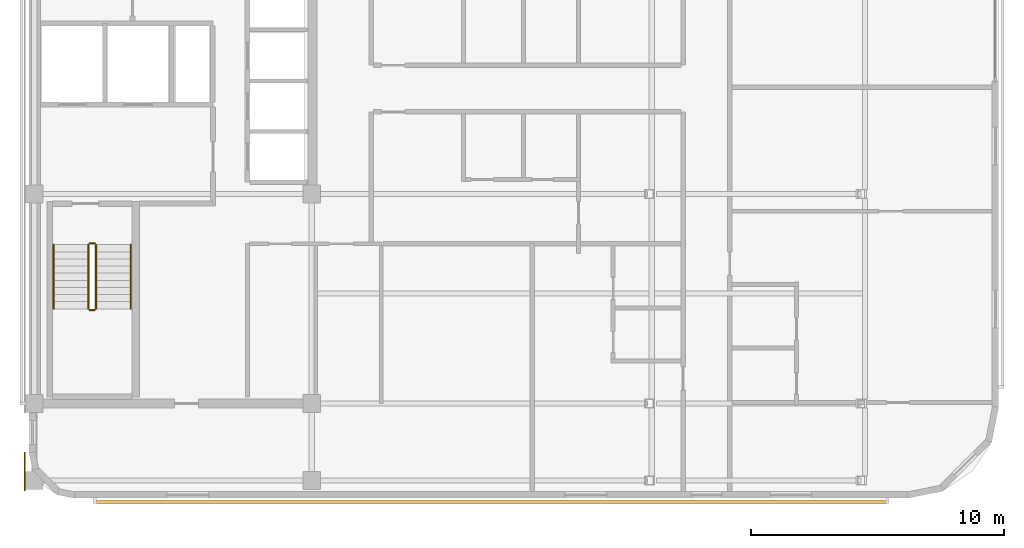
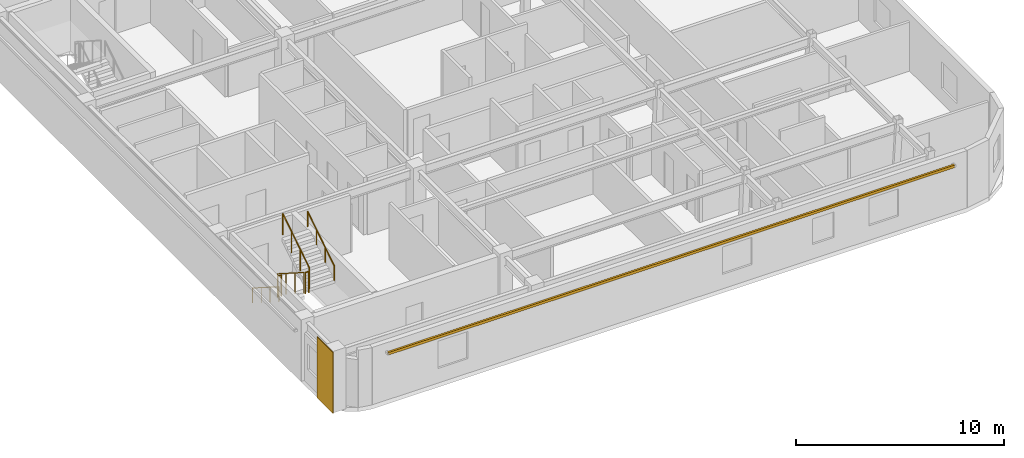
# One storey, part 8 of 10: 6 railings, 1 covering, 1 shading device.
"""IFC4 building model written with IfcOpenShell, lengths in metres."""

import ifcopenshell
import ifcopenshell.guid

model = None  # the IFC model being written
_history = None  # IfcOwnerHistory: only IFC2X3 demands one
_inside = {}  # id of a spatial element -> (the spatial element, [elements in it])
_under = {}  # id of a project, library or spatial element -> (it, [spatial elements below it])
_declared = {}  # id of a project -> (the project, [libraries it declares])
_typed = {}  # id of a type object -> (the type object, [elements of that type])
_made_of = {}  # id of a material, layer set ... -> (it, [elements and type objects made of it])


def new_model(schema):
    """Start an empty IFC model of exactly this schema.

    Asked for "IFC4X3", IfcOpenShell would pick the latest addendum, in which some entities
    have other attributes; the version numbers below select the first issue.
    IFC2X3 requires an IfcOwnerHistory on every rooted entity: one is made here for all.
    """
    global model, _history
    if schema == "IFC4X3":
        model = ifcopenshell.file(schema_version=(4, 3, 0, 0))
    else:
        model = ifcopenshell.file(schema=schema)
    _inside.clear()
    _under.clear()
    _declared.clear()
    _typed.clear()
    _made_of.clear()
    _history = None
    if model.schema == "IFC2X3":
        org = make("IfcOrganization", Name="unknown")
        user = make(
            "IfcPersonAndOrganization",
            ThePerson=make("IfcPerson", FamilyName="unknown"),
            TheOrganization=org,
        )
        app = make(
            "IfcApplication",
            ApplicationDeveloper=org,
            Version="unknown",
            ApplicationFullName="unknown",
            ApplicationIdentifier="unknown",
        )
        _history = make(
            "IfcOwnerHistory",
            OwningUser=user,
            OwningApplication=app,
            ChangeAction="ADDED",
            CreationDate=0,
        )
    return model


def make(cls, **values):
    """One entity of the class cls with the attributes given. An attribute that is None is left unset."""
    return model.create_entity(
        cls, **{name: value for name, value in values.items() if value is not None}
    )


def rooted(cls, **values):
    """An entity with a GlobalId (a new one), such as an element, a storey or a relation."""
    return make(cls, GlobalId=ifcopenshell.guid.new(), OwnerHistory=_history, **values)


def si_unit(unit_type, name, prefix=None):
    """IfcSIUnit, for example si_unit("LENGTHUNIT", "METRE", prefix="MILLI")."""
    return make("IfcSIUnit", UnitType=unit_type, Prefix=prefix, Name=name)


def assignment(units):
    """IfcUnitAssignment: the units of a project."""
    return None if units is None else make("IfcUnitAssignment", Units=units)


def point(xyz):
    """IfcCartesianPoint."""
    return None if xyz is None else make("IfcCartesianPoint", Coordinates=xyz)


def direction(xyz):
    """IfcDirection."""
    return None if xyz is None else make("IfcDirection", DirectionRatios=xyz)


def frame(location, z_axis=None, x_axis=None):
    """IfcAxis2Placement3D, a coordinate frame: its origin and axes. An axis left out is left unset."""
    return make(
        "IfcAxis2Placement3D",
        Location=point(location),
        Axis=direction(z_axis),
        RefDirection=direction(x_axis),
    )


def frame_2d(location, x_axis=None):
    """IfcAxis2Placement2D, a coordinate frame in the plane: its origin and x axis."""
    return make(
        "IfcAxis2Placement2D", Location=point(location), RefDirection=direction(x_axis)
    )


def origin():
    """The frame at (0, 0, 0) with its axes left unset."""
    return frame((0.0, 0.0, 0.0))


def origin_2d():
    """The frame at (0, 0) in the plane with its x axis left unset."""
    return frame_2d((0.0, 0.0))


def place(relative_to, where):
    """IfcLocalPlacement: puts the frame where relative to a parent placement (None: the world)."""
    return make(
        "IfcLocalPlacement", PlacementRelTo=relative_to, RelativePlacement=where
    )


def context(
    kind, dimensions, precision=None, world=None, true_north=None, identifier=None
):
    """IfcGeometricRepresentationContext, for example the 3D "Model" context."""
    return make(
        "IfcGeometricRepresentationContext",
        ContextIdentifier=identifier,
        ContextType=kind,
        CoordinateSpaceDimension=dimensions,
        Precision=precision,
        WorldCoordinateSystem=world,
        TrueNorth=true_north,
    )


def subcontext(parent, identifier, kind, view, scale=None):
    """IfcGeometricRepresentationSubContext, for example "Body" below "Model"."""
    return make(
        "IfcGeometricRepresentationSubContext",
        ContextIdentifier=identifier,
        ContextType=kind,
        ParentContext=parent,
        TargetScale=scale,
        TargetView=view,
    )


def project(units=None, contexts=None):
    """IfcProject with its units and contexts."""
    return rooted(
        "IfcProject",
        Name="project",
        RepresentationContexts=contexts,
        UnitsInContext=assignment(units),
    )


def spatial(cls, under=None, at=None, **own):
    """A site, building, storey or space (cls), placed at a placement, below another one or the project."""
    s = rooted(cls, ObjectPlacement=at, **own)
    if under is not None:
        _under.setdefault(under.id(), (under, []))[1].append(s)
    return s


def profile(cls, at=None, kind="AREA", **sizes):
    """A parametric profile (cls). Its sizes go by their IFC names, for example OverallWidth=200.0."""
    return make(cls, ProfileType=kind, Position=at, **sizes)


def rectangle(**sizes):
    """IfcRectangleProfileDef."""
    return profile("IfcRectangleProfileDef", **sizes)


def circle(**sizes):
    """IfcCircleProfileDef."""
    return profile("IfcCircleProfileDef", **sizes)


def extrude(swept, where, along, depth):
    """IfcExtrudedAreaSolid: the profile swept, set in the frame where, extruded along a direction by depth."""
    return make(
        "IfcExtrudedAreaSolid",
        SweptArea=swept,
        Position=where,
        ExtrudedDirection=direction(along),
        Depth=depth,
    )


def shape(context_of_items, identifier, shape_type, items):
    """IfcShapeRepresentation: the items that make up one representation, for example the "Body"."""
    return make(
        "IfcShapeRepresentation",
        ContextOfItems=context_of_items,
        RepresentationIdentifier=identifier,
        RepresentationType=shape_type,
        Items=items,
    )


def material(Name=None, Category=None):
    """IfcMaterial."""
    return make("IfcMaterial", Name=Name, Category=Category)


def layer(
    of_material, thickness, ventilated=None, Name=None, Category=None, Priority=None
):
    """IfcMaterialLayer: one layer of a wall or slab, of a material (None: an air gap)."""
    return make(
        "IfcMaterialLayer",
        Material=of_material,
        LayerThickness=thickness,
        IsVentilated=ventilated,
        Name=Name,
        Category=Category,
        Priority=Priority,
    )


def layer_set(layers, Name=None):
    """IfcMaterialLayerSet."""
    return make("IfcMaterialLayerSet", MaterialLayers=layers, LayerSetName=Name)


def material_profile(
    of_material, cross_section, Name=None, Category=None, Priority=None
):
    """IfcMaterialProfile: a cross section and its material."""
    return make(
        "IfcMaterialProfile",
        Name=Name,
        Material=of_material,
        Profile=cross_section,
        Priority=Priority,
        Category=Category,
    )


def profile_set(profiles, Name=None, composite=None):
    """IfcMaterialProfileSet."""
    return make(
        "IfcMaterialProfileSet",
        Name=Name,
        MaterialProfiles=profiles,
        CompositeProfile=composite,
    )


def made_of(thing, what):
    """Note that an element or type object is made of a material, layer set ...; save() writes the relation."""
    if what is not None:
        _made_of.setdefault(what.id(), (what, []))[1].append(thing)
    return thing


def type_object(cls, material=None, **own):
    """A type object (cls), such as IfcWallType, which elements share."""
    return made_of(rooted(cls, **own), material)


def element(
    cls,
    number,
    at=None,
    inside=None,
    cuts=None,
    type_object=None,
    material=None,
    context=None,
    identifier="Body",
    shape_type=None,
    held_by="IfcProductDefinitionShape",
    body=None,
    shapes=None,
    **own,
):
    """One element of the class cls, such as IfcWall. Its Tag is "e" and its number.

    at: its placement. inside: the storey or other place that contains it. cuts: it is an
    opening in that element (IfcRelVoidsElement). A single representation is given by context,
    identifier, shape_type and body (its items); several are given by shapes. held_by: the class
    of the entity that holds the representations. save() writes the other relations.
    """
    e = rooted(cls, Tag="e%d" % number, ObjectPlacement=at, **own)
    if body is not None:
        shapes = [shape(context, identifier, shape_type, body)]
    if shapes is not None:
        e.Representation = make(held_by, Representations=shapes)
    if inside is not None:
        _inside.setdefault(inside.id(), (inside, []))[1].append(e)
    if cuts is not None:
        rooted(
            "IfcRelVoidsElement", RelatingBuildingElement=cuts, RelatedOpeningElement=e
        )
    if type_object is not None:
        _typed.setdefault(type_object.id(), (type_object, []))[1].append(e)
    return made_of(e, material)


def aggregate(whole, parts):
    """IfcRelAggregates: a whole, such as a stair, and the parts it consists of."""
    return rooted("IfcRelAggregates", RelatingObject=whole, RelatedObjects=parts)


def save(model, path):
    """Write the relations noted so far, then the file.

    IfcRelAggregates (storeys below a building ...), IfcRelContainedInSpatialStructure (elements
    in a storey), IfcRelDefinesByType, IfcRelAssociatesMaterial and IfcRelDeclares: one each for
    every whole, place, type object, material and project.
    """
    for whole, parts in _under.values():
        aggregate(whole, parts)
    for where, things in _inside.values():
        rooted(
            "IfcRelContainedInSpatialStructure",
            RelatedElements=things,
            RelatingStructure=where,
        )
    for kind, things in _typed.values():
        rooted("IfcRelDefinesByType", RelatedObjects=things, RelatingType=kind)
    for what, things in _made_of.values():
        rooted("IfcRelAssociatesMaterial", RelatedObjects=things, RelatingMaterial=what)
    for by, libraries in _declared.values():
        rooted("IfcRelDeclares", RelatingContext=by, RelatedDefinitions=libraries)
    model.write(path)


model = new_model("IFC4")

# Units and contexts
model_context = context("Model", 3, precision=1e-05, world=origin(), true_north=direction((0.0, 1.0)))
body_context = subcontext(model_context, "Body", "Model", "MODEL_VIEW")
ifc_project = project(units=[si_unit("LENGTHUNIT", "METRE"), si_unit("AREAUNIT", "SQUARE_METRE"), si_unit("VOLUMEUNIT", "CUBIC_METRE"), si_unit("PLANEANGLEUNIT", "RADIAN"), si_unit("MASSUNIT", "GRAM", prefix="KILO")], contexts=[model_context])

# Site, building, storey
site_placement = place(None, origin())
site = spatial("IfcSite", under=ifc_project, at=site_placement, CompositionType="ELEMENT")
building_placement = place(site_placement, origin())
building = spatial("IfcBuilding", under=site, at=building_placement, Name="Ochreholt Gables", CompositionType="ELEMENT")
storey_placement = place(building_placement, frame((0.0, 0.0, 246.0)))
storey = spatial("IfcBuildingStorey", under=building, at=storey_placement, Name="L64", CompositionType="ELEMENT", Elevation=246.0)

# Covering
ifc_material_1 = material(Name="Glazed Ochre Terracotta Rainscreen Cladding", Category="masonry")
ifc_layer = layer(ifc_material_1, 0.044921875, Name="Glazed Ochre Terracotta Rainscreen Cladding")
ifc_layer_set = layer_set([ifc_layer], Name="Glazed Ochre Terracotta Rainscreen Cladding")
covering_type = type_object("IfcCoveringType", Name="COV-CLAD-TC", PredefinedType="CLADDING", material=ifc_layer_set)
covering_placement = place(storey_placement, frame((23.827880859375, 6.56005859375, 0.010009765625), z_axis=(0.0, 0.0, 1.0), x_axis=(0.0, 1.0, 0.0)))
element("IfcCovering", 1, at=covering_placement, inside=storey, type_object=covering_type, Name="L64 South-West Pier Terracotta Cladding", PredefinedType="CLADDING", context=body_context, shape_type="SweptSolid", body=[
    extrude(rectangle(XDim=1.52001953125, YDim=0.044921875, at=origin_2d()), origin(), (0.0, 0.0, 1.0), 3.580078125),
])

# Railings
ifc_material_2 = material(Name="Painted Steel Stair Guardrail", Category="steel")
railing_type_1 = type_object("IfcRailingType", Name="RL-ST-GUARD", PredefinedType="GUARDRAIL", material=ifc_material_2)
railing_1_placement = place(storey_placement, frame((26.35009765625, 15.5400390625, 0.179931640625)))
element("IfcRailing", 2, at=railing_1_placement, inside=storey, type_object=railing_type_1, Name="L64 ST-1 stair guard 1", PredefinedType="GUARDRAIL", context=body_context, shape_type="SweptSolid", body=[
    extrude(circle(Radius=0.02392578125, at=origin_2d()), frame((0.0, 0.0, 1.22607421875), z_axis=(0.0, -0.842912820907, 0.538050161556), x_axis=(1.0, 0.0, 0.0)), (0.0, 0.0, 1.0), 3.010986328125),
    extrude(circle(Radius=0.02099609375, at=origin_2d()), origin(), (0.0, 0.0, 1.0), 1.201904296875),
    extrude(circle(Radius=0.02099609375, at=origin_2d()), frame((0.0, -0.845947265625, 0.5400390625)), (0.0, 0.0, 1.0), 1.201904296875),
    extrude(circle(Radius=0.02099609375, at=origin_2d()), frame((0.0, -1.692138671875, 1.080078125)), (0.0, 0.0, 1.0), 1.201904296875),
    extrude(circle(Radius=0.02099609375, at=origin_2d()), frame((0.0, -2.5380859375, 1.6201171875)), (0.0, 0.0, 1.0), 1.201904296875),
])
railing_2_placement = place(storey_placement, frame((26.39990234375, 12.951904296875, 1.800048828125)))
element("IfcRailing", 3, at=railing_2_placement, inside=storey, type_object=railing_type_1, Name="L64 ST-1 stair guard 2", PredefinedType="GUARDRAIL", context=body_context, shape_type="SweptSolid", body=[
    extrude(circle(Radius=0.02392578125, at=origin_2d()), frame((0.0, 0.0, 1.22607421875), z_axis=(1.0, 0.0, 0.0), x_axis=(0.0, 1.0, 0.0)), (0.0, 0.0, 1.0), 0.2001953125),
    extrude(circle(Radius=0.02099609375, at=origin_2d()), origin(), (0.0, 0.0, 1.0), 1.201904296875),
    extrude(circle(Radius=0.02099609375, at=origin_2d()), frame((0.2001953125, 0.0, 0.0)), (0.0, 0.0, 1.0), 1.201904296875),
])
railing_3_placement = place(storey_placement, frame((26.64990234375, 13.001953125, 1.97998046875)))
element("IfcRailing", 4, at=railing_3_placement, inside=storey, type_object=railing_type_1, Name="L64 ST-1 stair guard 3", PredefinedType="GUARDRAIL", context=body_context, shape_type="SweptSolid", body=[
    extrude(circle(Radius=0.02392578125, at=origin_2d()), frame((0.0, 0.0, 1.22607421875), z_axis=(0.0, 0.842912820907, 0.538050161556), x_axis=(-1.0, 0.0, 0.0)), (0.0, 0.0, 1.0), 3.010986328125),
    extrude(circle(Radius=0.02099609375, at=origin_2d()), origin(), (0.0, 0.0, 1.0), 1.201904296875),
    extrude(circle(Radius=0.02099609375, at=origin_2d()), frame((0.0, 0.845947265625, 0.5400390625)), (0.0, 0.0, 1.0), 1.201904296875),
    extrude(circle(Radius=0.02099609375, at=origin_2d()), frame((0.0, 1.692138671875, 1.080078125)), (0.0, 0.0, 1.0), 1.201904296875),
    extrude(circle(Radius=0.02099609375, at=origin_2d()), frame((0.0, 2.5380859375, 1.6201171875)), (0.0, 0.0, 1.0), 1.201904296875),
])
railing_4_placement = place(storey_placement, frame((26.39990234375, 15.590087890625, 0.0)))
element("IfcRailing", 5, at=railing_4_placement, inside=storey, type_object=railing_type_1, Name="L64 ST-1 stair guard 4", PredefinedType="GUARDRAIL", context=body_context, shape_type="SweptSolid", body=[
    extrude(circle(Radius=0.02392578125, at=origin_2d()), frame((0.0, 0.0, 1.22607421875), z_axis=(1.0, 0.0, 0.0), x_axis=(0.0, 1.0, 0.0)), (0.0, 0.0, 1.0), 0.2001953125),
    extrude(circle(Radius=0.02099609375, at=origin_2d()), origin(), (0.0, 0.0, 1.0), 1.201904296875),
    extrude(circle(Radius=0.02099609375, at=origin_2d()), frame((0.2001953125, 0.0, 0.0)), (0.0, 0.0, 1.0), 1.201904296875),
])
ifc_material_3 = material(Name="Brushed Stainless Steel Wall Handrail", Category="steel")
railing_type_2 = type_object("IfcRailingType", Name="RL-ST-HAND", PredefinedType="HANDRAIL", material=ifc_material_3)
railing_5_placement = place(storey_placement, frame((24.969970703125, 15.5400390625, 0.179931640625)))
element("IfcRailing", 6, at=railing_5_placement, inside=storey, type_object=railing_type_2, Name="L64 ST-1 stair handrail 1", PredefinedType="HANDRAIL", context=body_context, shape_type="SweptSolid", body=[
    extrude(circle(Radius=0.02392578125, at=origin_2d()), frame((0.0, 0.0, 0.8759765625), z_axis=(0.0, -0.842912820907, 0.538050161556), x_axis=(1.0, 0.0, 0.0)), (0.0, 0.0, 1.0), 3.010986328125),
    extrude(circle(Radius=0.02099609375, at=origin_2d()), origin(), (0.0, 0.0, 1.0), 0.851806640625),
    extrude(circle(Radius=0.02099609375, at=origin_2d()), frame((0.0, -0.845947265625, 0.5400390625)), (0.0, 0.0, 1.0), 0.851806640625),
    extrude(circle(Radius=0.02099609375, at=origin_2d()), frame((0.0, -1.692138671875, 1.080078125)), (0.0, 0.0, 1.0), 0.851806640625),
    extrude(circle(Radius=0.02099609375, at=origin_2d()), frame((0.0, -2.5380859375, 1.6201171875)), (0.0, 0.0, 1.0), 0.851806640625),
])
railing_6_placement = place(storey_placement, frame((28.030029296875, 13.001953125, 1.97998046875)))
element("IfcRailing", 7, at=railing_6_placement, inside=storey, type_object=railing_type_2, Name="L64 ST-1 stair handrail 2", PredefinedType="HANDRAIL", context=body_context, shape_type="SweptSolid", body=[
    extrude(circle(Radius=0.02392578125, at=origin_2d()), frame((0.0, 0.0, 0.8759765625), z_axis=(0.0, 0.842912820907, 0.538050161556), x_axis=(-1.0, 0.0, 0.0)), (0.0, 0.0, 1.0), 3.010986328125),
    extrude(circle(Radius=0.02099609375, at=origin_2d()), origin(), (0.0, 0.0, 1.0), 0.851806640625),
    extrude(circle(Radius=0.02099609375, at=origin_2d()), frame((0.0, 0.845947265625, 0.5400390625)), (0.0, 0.0, 1.0), 0.851806640625),
    extrude(circle(Radius=0.02099609375, at=origin_2d()), frame((0.0, 1.692138671875, 1.080078125)), (0.0, 0.0, 1.0), 0.851806640625),
    extrude(circle(Radius=0.02099609375, at=origin_2d()), frame((0.0, 2.5380859375, 1.6201171875)), (0.0, 0.0, 1.0), 0.851806640625),
])

# Shading device
ifc_material_4 = material(Name="Warm Ochre Glazed Terracotta Baguette", Category="masonry")
ifc_material_profile = material_profile(ifc_material_4, rectangle(XDim=0.110107421875, YDim=0.14990234375, at=origin_2d()), Name="TCBAG110X150")
ifc_profile_set = profile_set([ifc_material_profile], Name="Warm Ochre Glazed Terracotta Baguette")
shading_device_type = type_object("IfcShadingDeviceType", Name="SHD-BAGUETTE", PredefinedType="USERDEFINED", material=ifc_profile_set)
shading_device_placement = place(storey_placement, frame((26.60009765625, 5.35009765625, 2.840087890625), z_axis=(1.0, 0.0, 0.0), x_axis=(0.0, 1.0, 0.0)))
element("IfcShadingDevice", 8, at=shading_device_placement, inside=storey, type_object=shading_device_type, Name="L64 Terracotta Baguette Screen S-1", ObjectType="BAGUETTE", PredefinedType="USERDEFINED", context=body_context, shape_type="SweptSolid", body=[
    extrude(rectangle(XDim=0.110107421875, YDim=0.14990234375, at=origin_2d()), origin(), (0.0, 0.0, 1.0), 31.39990234375),
])

save(model, "model.ifc")
